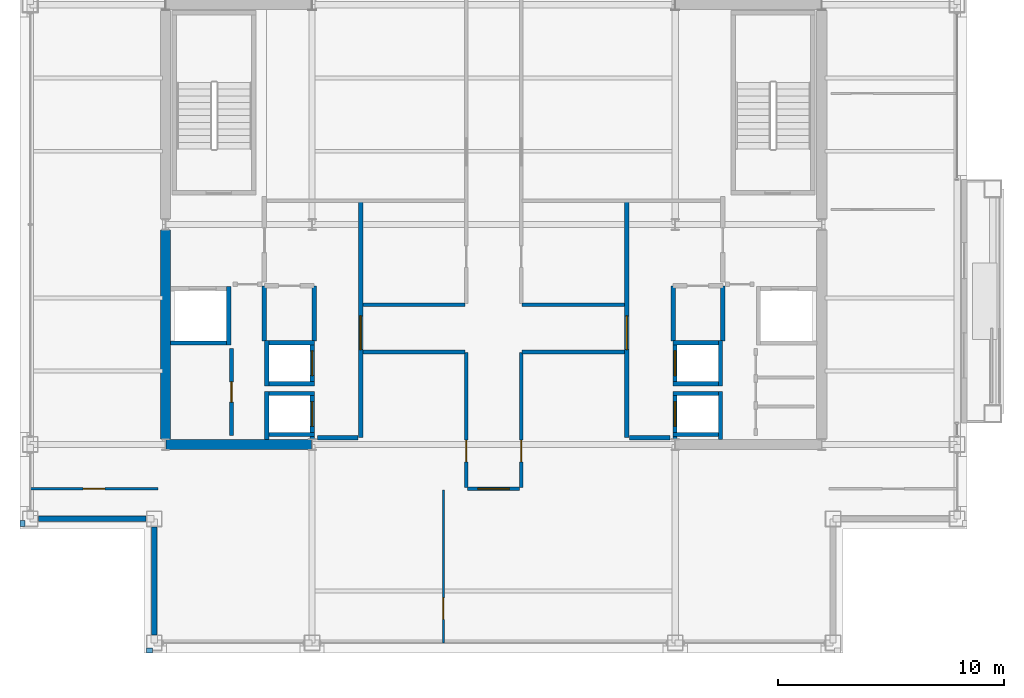
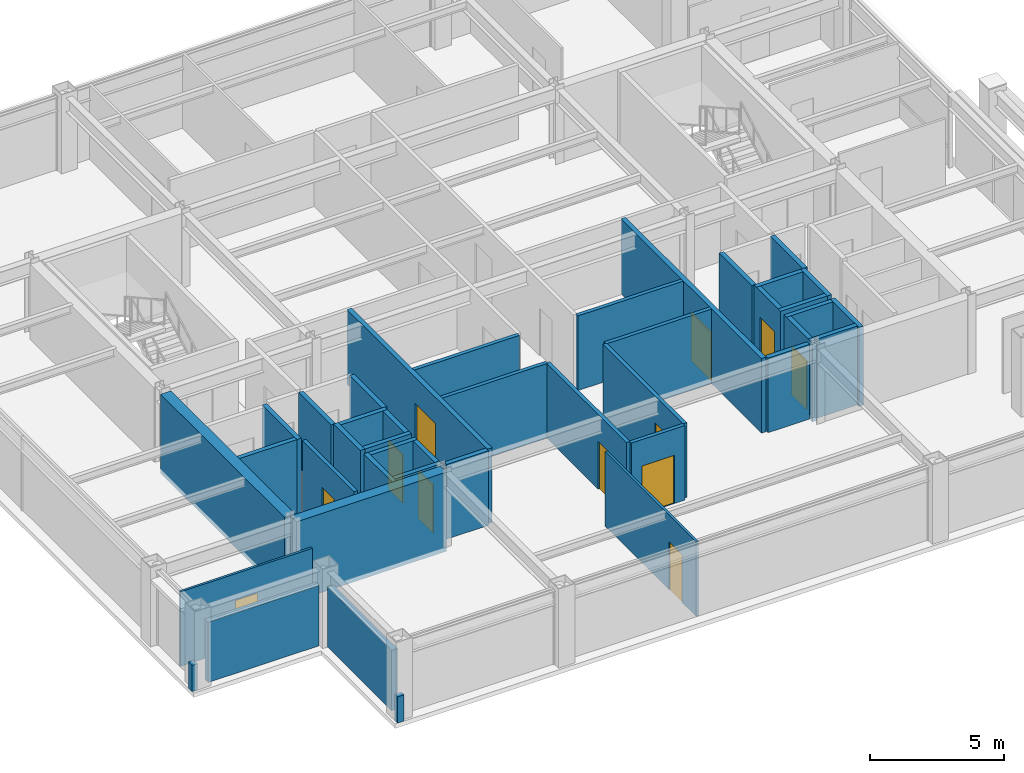
# One storey, part 24 of 29: 42 walls, 12 doors, 12 openings.
"""IFC4 building model written with IfcOpenShell, lengths in metres."""

from ifc_helpers import new_model, si_unit, direction, frame, frame_2d, origin, place, context, subcontext, project, spatial, rectangle, extrude, material, layer, layer_set, type_object, element, fill, save


model = new_model("IFC4")

# Units and contexts
model_context = context("Model", 3, precision=1e-05, world=origin(), true_north=direction((0.0, 1.0)))
body_context = subcontext(model_context, "Body", "Model", "MODEL_VIEW")
ifc_project = project(units=[si_unit("LENGTHUNIT", "METRE"), si_unit("AREAUNIT", "SQUARE_METRE"), si_unit("VOLUMEUNIT", "CUBIC_METRE"), si_unit("PLANEANGLEUNIT", "RADIAN"), si_unit("MASSUNIT", "GRAM", prefix="KILO")], contexts=[model_context])

# Site, building, storey
site_placement = place(None, origin())
site = spatial("IfcSite", under=ifc_project, at=site_placement, CompositionType="ELEMENT")
building_placement = place(site_placement, origin())
building = spatial("IfcBuilding", under=site, at=building_placement, Name="Brelmoor Portico Tower", CompositionType="ELEMENT")
storey_placement = place(building_placement, frame((0.0, 0.0, 201.89990234375)))
storey = spatial("IfcBuildingStorey", under=building, at=storey_placement, Name="L53", CompositionType="ELEMENT", Elevation=201.89990234375)

# Walls
ifc_material_1 = material(Name="Concrete C50", Category="concrete")
ifc_layer_1 = layer(ifc_material_1, 0.449951171875)
ifc_layer_set_1 = layer_set([ifc_layer_1], Name="Concrete C50")
wall_type_1 = type_object("IfcWallType", Name="WL-CORE-450", PredefinedType="SHEAR", material=ifc_layer_set_1)
wall_1_placement = place(storey_placement, frame((-14.530029296875, -9.75, -0.199951171875), z_axis=(0.0, 0.0, 1.0), x_axis=(1.0, 0.0, 0.0)))
element("IfcWall", 1, at=wall_1_placement, inside=storey, type_object=wall_type_1, Name="L53 WC South Shear Wall", PredefinedType="SHEAR", context=body_context, shape_type="SweptSolid", body=[
    extrude(rectangle(XDim=6.4599609375, YDim=0.449951171875, at=frame_2d((3.22998046875, 0.0))), origin(), (0.0, 0.0, 1.0), 3.60009765625),
])
wall_2_placement = place(storey_placement, frame((-14.550048828125, -9.5, -0.199951171875), z_axis=(0.0, 0.0, 1.0), x_axis=(0.0, 1.0, 0.0)))
element("IfcWall", 2, at=wall_2_placement, inside=storey, type_object=wall_type_1, Name="L53 WC Outer South Shear Wall", PredefinedType="SHEAR", context=body_context, shape_type="SweptSolid", body=[
    extrude(rectangle(XDim=9.25, YDim=0.449951171875, at=frame_2d((4.625, 0.0))), origin(), (0.0, 0.0, 1.0), 3.60009765625),
])
ifc_material_2 = material(Name="Precast Concrete C40 Insulated Facade Wall", Category="concrete")
ifc_layer_2 = layer(ifc_material_2, 0.25)
ifc_layer_set_2 = layer_set([ifc_layer_2], Name="Precast Concrete C40 Insulated Facade Wall")
wall_type_2 = type_object("IfcWallType", Name="WL-EXT-250", PredefinedType="STANDARD", material=ifc_layer_set_2)
for number, where, z_axis, x_axis, name in (
    (3, (-20.18994140625, -13.050048828125, 0.0), (0.0, 0.0, 1.0), (1.0, 0.0, 0.0), "L53 Corner Notch Facade Wall NSWH1"),
    (4, (-15.050048828125, -18.18994140625, 0.0), (0.0, 0.0, 1.0), (0.0, 1.0, 0.0), "L53 Corner Notch Facade Wall NSWV1"),
):
    element("IfcWall", number, at=place(storey_placement, frame(where, z_axis=z_axis, x_axis=x_axis)), inside=storey, type_object=wall_type_2, Name=name, PredefinedType="STANDARD", context=body_context, shape_type="SweptSolid", body=[
        extrude(rectangle(XDim=4.780029296875, YDim=0.25, at=frame_2d((2.39013671875, 0.0))), origin(), (0.0, 0.0, 1.0), 2.75),
    ])
ifc_material_3 = material(Name="Concrete C40 Parapet Upstand", Category="concrete")
ifc_layer_3 = layer(ifc_material_3, 0.219970703125)
ifc_layer_set_3 = layer_set([ifc_layer_3], Name="Concrete C40 Parapet Upstand")
wall_type_3 = type_object("IfcWallType", Name="WL-PARAPET-220", PredefinedType="PARAPET", material=ifc_layer_set_3)
for number, where, z_axis, x_axis, name in (
    (5, (-15.389892578125, -18.889892578125, 0.0), (0.0, 0.0, 1.0), (1.0, 0.0, 0.0), "L53 Chamfer Vertex Parapet Pier SW1"),
    (6, (-20.889892578125, -13.389892578125, 0.0), (0.0, 0.0, 1.0), (0.0, 1.0, 0.0), "L53 Chamfer Vertex Parapet Pier SW2"),
):
    element("IfcWall", number, at=place(storey_placement, frame(where, z_axis=z_axis, x_axis=x_axis)), inside=storey, type_object=wall_type_3, Name=name, PredefinedType="PARAPET", context=body_context, shape_type="SweptSolid", body=[
        extrude(rectangle(XDim=0.269775390625, YDim=0.219970703125, at=frame_2d((0.134765625, 0.0))), origin(), (0.0, 0.0, 1.0), 1.2001953125),
    ])

# Wall, opening, door
ifc_material_4 = material(Name="Demountable Glazed Office Partition", Category="aluminium")
ifc_layer_4 = layer(ifc_material_4, 0.10009765625)
ifc_layer_set_4 = layer_set([ifc_layer_4], Name="Demountable Glazed Office Partition")
wall_type_4 = type_object("IfcWallType", Name="WL-PART-100", PredefinedType="PARTITIONING", material=ifc_layer_set_4)
wall_3_placement = place(storey_placement, frame((-2.2255859375, -18.56005859375, 0.0), z_axis=(0.0, 0.0, 1.0), x_axis=(0.0, 1.0, 0.0)))
wall_3 = element("IfcWall", 7, at=wall_3_placement, inside=storey, type_object=wall_type_4, Name="L53 South Suite Partition 1", PredefinedType="PARTITIONING", context=body_context, shape_type="SweptSolid", body=[
    extrude(rectangle(XDim=6.7900390625, YDim=0.10009765625, at=frame_2d((3.39501953125, 0.0))), origin(), (0.0, 0.0, 1.0), 3.400146484375),
])
opening_1_placement = place(wall_3_placement, frame((1.050048828125, 0.0, 0.0)))
opening_1 = element("IfcOpeningElement", 8, at=opening_1_placement, cuts=wall_3, Name="Opening D-IN2", PredefinedType="OPENING", context=body_context, shape_type="SweptSolid", body=[
    extrude(rectangle(XDim=0.9599609375, YDim=2.179931640625, at=frame_2d((0.47998046875, 1.08984375))), frame((0.0, 0.06005859375, 0.0), z_axis=(0.0, -1.0, 0.0), x_axis=(1.0, 0.0, 0.0)), (0.0, 0.0, 1.0), 0.1201171875),
])
ifc_material_5 = material(Name="Lacquered Timber Suite Door", Category="wood")
door_type_1 = type_object("IfcDoorType", Name="DR-INT-950", OperationType="NOTDEFINED", PredefinedType="DOOR", material=ifc_material_5)
door_1_placement = place(opening_1_placement, origin())
door_1 = element("IfcDoor", 9, at=door_1_placement, inside=storey, type_object=door_type_1, Name="D-2246 L53 South Suite Connecting Door 1", OperationType="SINGLE_SWING_LEFT", OverallHeight=2.179931640625, OverallWidth=0.9599609375, PredefinedType="DOOR", context=body_context, shape_type="SweptSolid", body=[
    extrude(rectangle(XDim=0.9599609375, YDim=2.179931640625, at=frame_2d((0.47998046875, 1.08984375))), frame((0.0, 0.02490234375, 0.0), z_axis=(0.0, -1.0, 0.0), x_axis=(1.0, 0.0, 0.0)), (0.0, 0.0, 1.0), 0.050048828125),
])
fill(opening_1, door_1)

wall_4_placement = place(storey_placement, frame((-20.56005859375, -11.7099609375, 0.0), z_axis=(0.0, 0.0, 1.0), x_axis=(1.0, 0.0, 0.0)))
wall_4 = element("IfcWall", 10, at=wall_4_placement, inside=storey, type_object=wall_type_4, Name="L53 South Wing Closure WL", PredefinedType="PARTITIONING", context=body_context, shape_type="SweptSolid", body=[
    extrude(rectangle(XDim=5.68017578125, YDim=0.10009765625, at=frame_2d((2.840087890625, 0.0))), origin(), (0.0, 0.0, 1.0), 3.400146484375),
])
opening_2_placement = place(wall_4_placement, frame((2.360107421875, 0.0, 0.0)))
opening_2 = element("IfcOpeningElement", 11, at=opening_2_placement, cuts=wall_4, Name="Opening D-IN2", PredefinedType="OPENING", context=body_context, shape_type="SweptSolid", body=[
    extrude(rectangle(XDim=0.9599609375, YDim=2.179931640625, at=frame_2d((0.47998046875, 1.08984375))), frame((0.0, 0.06005859375, 0.0), z_axis=(0.0, -1.0, 0.0), x_axis=(1.0, 0.0, 0.0)), (0.0, 0.0, 1.0), 0.1201171875),
])
door_2_placement = place(opening_2_placement, origin())
door_2 = element("IfcDoor", 12, at=door_2_placement, inside=storey, type_object=door_type_1, Name="D-2250 L53 WL Wing South Suite Door", OperationType="SINGLE_SWING_RIGHT", OverallHeight=2.179931640625, OverallWidth=0.9599609375, PredefinedType="DOOR", context=body_context, shape_type="SweptSolid", body=[
    extrude(rectangle(XDim=0.9599609375, YDim=2.179931640625, at=frame_2d((0.47998046875, 1.08984375))), frame((0.0, 0.02490234375, 0.0), z_axis=(0.0, -1.0, 0.0), x_axis=(1.0, 0.0, 0.0)), (0.0, 0.0, 1.0), 0.050048828125),
])
fill(opening_2, door_2)

ifc_material_6 = material(Name="Twin-Frame Acoustic Partition", Category="gypsum")
ifc_layer_5 = layer(ifc_material_6, 0.159912109375)
ifc_layer_set_5 = layer_set([ifc_layer_5], Name="Twin-Frame Acoustic Partition")
wall_type_5 = type_object("IfcWallType", Name="WL-PART-160", PredefinedType="PARTITIONING", material=ifc_layer_set_5)
wall_5_placement = place(storey_placement, frame((-11.6201171875, -9.35009765625, 0.0), z_axis=(0.0, 0.0, 1.0), x_axis=(0.0, 1.0, 0.0)))
wall_5 = element("IfcWall", 13, at=wall_5_placement, inside=storey, type_object=wall_type_5, Name="L53 W Core Service Front Wall", PredefinedType="PARTITIONING", context=body_context, shape_type="SweptSolid", body=[
    extrude(rectangle(XDim=3.85009765625, YDim=0.159912109375, at=frame_2d((1.925048828125, 0.0))), origin(), (0.0, 0.0, 1.0), 3.400146484375),
])
opening_3_placement = place(wall_5_placement, frame((1.47509765625, 0.0, 0.0)))
opening_3 = element("IfcOpeningElement", 14, at=opening_3_placement, cuts=wall_5, Name="Opening D-IN1", PredefinedType="OPENING", context=body_context, shape_type="SweptSolid", body=[
    extrude(rectangle(XDim=0.89990234375, YDim=2.14990234375, at=frame_2d((0.449951171875, 1.074951171875))), frame((0.0, 0.08984375, 0.0), z_axis=(0.0, -1.0, 0.0), x_axis=(1.0, 0.0, 0.0)), (0.0, 0.0, 1.0), 0.179931640625),
])
door_type_2 = type_object("IfcDoorType", Name="DR-INT-900", OperationType="NOTDEFINED", PredefinedType="DOOR", material=ifc_material_5)
door_3_placement = place(opening_3_placement, origin())
door_3 = element("IfcDoor", 15, at=door_3_placement, inside=storey, type_object=door_type_2, Name="D-2231 L53 W Accessible WC Door", OperationType="SINGLE_SWING_LEFT", OverallHeight=2.14990234375, OverallWidth=0.89990234375, PredefinedType="DOOR", context=body_context, shape_type="SweptSolid", body=[
    extrude(rectangle(XDim=0.89990234375, YDim=2.14990234375, at=frame_2d((0.449951171875, 1.074951171875))), frame((0.0, 0.02490234375, 0.0), z_axis=(0.0, -1.0, 0.0), x_axis=(1.0, 0.0, 0.0)), (0.0, 0.0, 1.0), 0.050048828125),
])
fill(opening_3, door_3)

# Walls
for number, where, z_axis, x_axis, name in (
    (16, (-5.800048828125, -3.550048828125, 0.0), (0.0, 0.0, 1.0), (1.0, 0.0, 0.0), "L53 West Pantry South Wall"),
    (17, (1.260009765625, -3.550048828125, 0.0), (0.0, 0.0, 1.0), (1.0, 0.0, 0.0), "L53 East Office South Wall"),
):
    element("IfcWall", number, at=place(storey_placement, frame(where, z_axis=z_axis, x_axis=x_axis)), inside=storey, type_object=wall_type_5, Name=name, PredefinedType="PARTITIONING", context=body_context, shape_type="SweptSolid", body=[
        extrude(rectangle(XDim=4.5400390625, YDim=0.159912109375, at=frame_2d((2.27001953125, 0.0))), origin(), (0.0, 0.0, 1.0), 3.400146484375),
    ])

# Wall, opening, door
wall_6_placement = place(storey_placement, frame((-1.219970703125, -11.669921875, 0.0), z_axis=(0.0, 0.0, 1.0), x_axis=(0.0, 1.0, 0.0)))
wall_6 = element("IfcWall", 18, at=wall_6_placement, inside=storey, type_object=wall_type_5, Name="L53 South Cross West Wall", PredefinedType="PARTITIONING", context=body_context, shape_type="SweptSolid", body=[
    extrude(rectangle(XDim=5.989990234375, YDim=0.159912109375, at=frame_2d((2.9951171875, 0.0))), origin(), (0.0, 0.0, 1.0), 3.400146484375),
])
opening_4_placement = place(wall_6_placement, frame((1.14990234375, 0.0, 0.0)))
opening_4 = element("IfcOpeningElement", 19, at=opening_4_placement, cuts=wall_6, Name="Opening D-IN2", PredefinedType="OPENING", context=body_context, shape_type="SweptSolid", body=[
    extrude(rectangle(XDim=0.9599609375, YDim=2.179931640625, at=frame_2d((0.47998046875, 1.08984375))), frame((0.0, 0.08984375, 0.0), z_axis=(0.0, -1.0, 0.0), x_axis=(1.0, 0.0, 0.0)), (0.0, 0.0, 1.0), 0.179931640625),
])
door_4_placement = place(opening_4_placement, origin())
door_4 = element("IfcDoor", 20, at=door_4_placement, inside=storey, type_object=door_type_1, Name="D-2223 L53 South-West Archive Room Door", OperationType="SINGLE_SWING_RIGHT", OverallHeight=2.179931640625, OverallWidth=0.9599609375, PredefinedType="DOOR", context=body_context, shape_type="SweptSolid", body=[
    extrude(rectangle(XDim=0.9599609375, YDim=2.179931640625, at=frame_2d((0.47998046875, 1.08984375))), frame((0.0, 0.02490234375, 0.0), z_axis=(0.0, -1.0, 0.0), x_axis=(1.0, 0.0, 0.0)), (0.0, 0.0, 1.0), 0.050048828125),
])
fill(opening_4, door_4)

wall_7_placement = place(storey_placement, frame((1.219970703125, -11.669921875, 0.0), z_axis=(0.0, 0.0, 1.0), x_axis=(0.0, 1.0, 0.0)))
wall_7 = element("IfcWall", 21, at=wall_7_placement, inside=storey, type_object=wall_type_5, Name="L53 South Cross East Wall", PredefinedType="PARTITIONING", context=body_context, shape_type="SweptSolid", body=[
    extrude(rectangle(XDim=5.989990234375, YDim=0.159912109375, at=frame_2d((2.9951171875, 0.0))), origin(), (0.0, 0.0, 1.0), 3.400146484375),
])
opening_5_placement = place(wall_7_placement, frame((1.14990234375, 0.0, 0.0)))
opening_5 = element("IfcOpeningElement", 22, at=opening_5_placement, cuts=wall_7, Name="Opening D-IN2", PredefinedType="OPENING", context=body_context, shape_type="SweptSolid", body=[
    extrude(rectangle(XDim=0.9599609375, YDim=2.179931640625, at=frame_2d((0.47998046875, 1.08984375))), frame((0.0, 0.08984375, 0.0), z_axis=(0.0, -1.0, 0.0), x_axis=(1.0, 0.0, 0.0)), (0.0, 0.0, 1.0), 0.179931640625),
])
door_5_placement = place(opening_5_placement, origin())
door_5 = element("IfcDoor", 23, at=door_5_placement, inside=storey, type_object=door_type_1, Name="D-2222 L53 South-East Partner Office Door", OperationType="SINGLE_SWING_LEFT", OverallHeight=2.179931640625, OverallWidth=0.9599609375, PredefinedType="DOOR", context=body_context, shape_type="SweptSolid", body=[
    extrude(rectangle(XDim=0.9599609375, YDim=2.179931640625, at=frame_2d((0.47998046875, 1.08984375))), frame((0.0, 0.02490234375, 0.0), z_axis=(0.0, -1.0, 0.0), x_axis=(1.0, 0.0, 0.0)), (0.0, 0.0, 1.0), 0.050048828125),
])
fill(opening_5, door_5)

# Walls
for number, where, z_axis, x_axis, name in (
    (24, (-5.800048828125, -5.64990234375, 0.0), (0.0, 0.0, 1.0), (1.0, 0.0, 0.0), "L53 South-West Chamber Top Wall"),
    (25, (1.260009765625, -5.64990234375, 0.0), (0.0, 0.0, 1.0), (1.0, 0.0, 0.0), "L53 South-East Chamber Top Wall"),
):
    element("IfcWall", number, at=place(storey_placement, frame(where, z_axis=z_axis, x_axis=x_axis)), inside=storey, type_object=wall_type_5, Name=name, PredefinedType="PARTITIONING", context=body_context, shape_type="SweptSolid", body=[
        extrude(rectangle(XDim=4.5400390625, YDim=0.159912109375, at=frame_2d((2.27001953125, 0.0))), origin(), (0.0, 0.0, 1.0), 3.400146484375),
    ])

# Wall, opening, door
wall_8_placement = place(storey_placement, frame((-1.14990234375, -11.7099609375, 0.0), z_axis=(0.0, 0.0, 1.0), x_axis=(1.0, 0.0, 0.0)))
wall_8 = element("IfcWall", 26, at=wall_8_placement, inside=storey, type_object=wall_type_5, Name="L53 South Corridor Partition", PredefinedType="PARTITIONING", context=body_context, shape_type="SweptSolid", body=[
    extrude(rectangle(XDim=2.2998046875, YDim=0.159912109375, at=frame_2d((1.14990234375, 0.0))), origin(), (0.0, 0.0, 1.0), 3.400146484375),
])
opening_6_placement = place(wall_8_placement, frame((0.449951171875, 0.0, 0.0)))
opening_6 = element("IfcOpeningElement", 27, at=opening_6_placement, cuts=wall_8, Name="Opening D-SU2", PredefinedType="OPENING", context=body_context, shape_type="SweptSolid", body=[
    extrude(rectangle(XDim=1.39990234375, YDim=2.199951171875, at=frame_2d((0.699951171875, 1.10009765625))), frame((0.0, 0.08984375, 0.0), z_axis=(0.0, -1.0, 0.0), x_axis=(1.0, 0.0, 0.0)), (0.0, 0.0, 1.0), 0.179931640625),
])
ifc_material_7 = material(Name="Double-Leaf Acoustic Suite Door", Category="timber")
door_type_3 = type_object("IfcDoorType", Name="DR-SUITE-1400", OperationType="NOTDEFINED", PredefinedType="DOOR", material=ifc_material_7)
door_6_placement = place(opening_6_placement, origin())
door_6 = element("IfcDoor", 28, at=door_6_placement, inside=storey, type_object=door_type_3, Name="D-2245 L53 South Cellular Office 2 Door", OperationType="DOUBLE_DOOR_SINGLE_SWING", OverallHeight=2.199951171875, OverallWidth=1.39990234375, PredefinedType="DOOR", context=body_context, shape_type="SweptSolid", body=[
    extrude(rectangle(XDim=1.39990234375, YDim=2.199951171875, at=frame_2d((0.699951171875, 1.10009765625))), frame((0.0, 0.02490234375, 0.0), z_axis=(0.0, -1.0, 0.0), x_axis=(1.0, 0.0, 0.0)), (0.0, 0.0, 1.0), 0.050048828125),
])
fill(opening_6, door_6)

ifc_material_8 = material(Name="Double-Stud Gypsum Fire Partition", Category="gypsum")
ifc_layer_6 = layer(ifc_material_8, 0.199951171875)
ifc_layer_set_6 = layer_set([ifc_layer_6], Name="Double-Stud Gypsum Fire Partition")
wall_type_6 = type_object("IfcWallType", Name="WL-PART-200", PredefinedType="PARTITIONING", material=ifc_layer_set_6)
wall_9_placement = place(storey_placement, frame((-5.89990234375, -9.449951171875, 0.0), z_axis=(0.0, 0.0, 1.0), x_axis=(0.0, 1.0, 0.0)))
wall_9 = element("IfcWall", 29, at=wall_9_placement, inside=storey, type_object=wall_type_6, Name="L53 W Core Lobby Compartment Wall", PredefinedType="PARTITIONING", context=body_context, shape_type="SweptSolid", body=[
    extrude(rectangle(XDim=10.5, YDim=0.199951171875, at=frame_2d((5.25, 0.0))), origin(), (0.0, 0.0, 1.0), 3.400146484375),
])
opening_7_placement = place(wall_9_placement, frame((3.89990234375, 0.0, 0.0)))
opening_7 = element("IfcOpeningElement", 30, at=opening_7_placement, cuts=wall_9, Name="Opening D-LB1", PredefinedType="OPENING", context=body_context, shape_type="SweptSolid", body=[
    extrude(rectangle(XDim=1.5, YDim=2.199951171875, at=frame_2d((0.75, 1.10009765625))), frame((0.0, 0.10986328125, 0.0), z_axis=(0.0, -1.0, 0.0), x_axis=(1.0, 0.0, 0.0)), (0.0, 0.0, 1.0), 0.219970703125),
])
ifc_material_9 = material(Name="Double-Leaf Glazed Steel Fire Door", Category="steel")
door_type_4 = type_object("IfcDoorType", Name="DR-LOBBY-1500", OperationType="NOTDEFINED", PredefinedType="DOOR", material=ifc_material_9)
door_7_placement = place(opening_7_placement, origin())
door_7 = element("IfcDoor", 31, at=door_7_placement, inside=storey, type_object=door_type_4, Name="D-2237 L53 W Lift Lobby Main Door", OperationType="DOUBLE_DOOR_SINGLE_SWING", OverallHeight=2.199951171875, OverallWidth=1.5, PredefinedType="DOOR", context=body_context, shape_type="SweptSolid", body=[
    extrude(rectangle(XDim=1.5, YDim=2.199951171875, at=frame_2d((0.75, 1.10009765625))), frame((0.0, 0.02490234375, 0.0), z_axis=(0.0, -1.0, 0.0), x_axis=(1.0, 0.0, 0.0)), (0.0, 0.0, 1.0), 0.050048828125),
])
fill(opening_7, door_7)

# Walls
wall_10_placement = place(storey_placement, frame((-6.02001953125, -9.449951171875, 0.0), z_axis=(0.0, 0.0, 1.0), x_axis=(-1.0, 0.0, 0.0)))
element("IfcWall", 32, at=wall_10_placement, inside=storey, type_object=wall_type_6, Name="L53 W Lift Lobby South End Wall", PredefinedType="PARTITIONING", context=body_context, shape_type="SweptSolid", body=[
    extrude(rectangle(XDim=1.800048828125, YDim=0.199951171875, at=frame_2d((0.89990234375, 0.0))), origin(), (0.0, 0.0, 1.0), 3.400146484375),
])
for number, where, z_axis, x_axis, name in (
    (33, (-7.9599609375, -5.159912109375, 0.0), (0.0, 0.0, 1.0), (0.0, 1.0, 0.0), "L53 W Electrical Switchgear Closet Inner Wall"),
    (34, (-10.159912109375, -5.159912109375, 0.0), (0.0, 0.0, 1.0), (0.0, 1.0, 0.0), "L53 W Electrical Switchgear Closet Outer Wall"),
):
    element("IfcWall", number, at=place(storey_placement, frame(where, z_axis=z_axis, x_axis=x_axis)), inside=storey, type_object=wall_type_6, Name=name, PredefinedType="PARTITIONING", context=body_context, shape_type="SweptSolid", body=[
        extrude(rectangle(XDim=2.43994140625, YDim=0.199951171875, at=frame_2d((1.219970703125, 0.0))), origin(), (0.0, 0.0, 1.0), 3.400146484375),
    ])

# Wall, opening, door
wall_11_placement = place(storey_placement, frame((5.89990234375, -9.449951171875, 0.0), z_axis=(0.0, 0.0, 1.0), x_axis=(0.0, 1.0, 0.0)))
wall_11 = element("IfcWall", 35, at=wall_11_placement, inside=storey, type_object=wall_type_6, Name="L53 E Core Lobby Compartment Wall", PredefinedType="PARTITIONING", context=body_context, shape_type="SweptSolid", body=[
    extrude(rectangle(XDim=10.5, YDim=0.199951171875, at=frame_2d((5.25, 0.0))), origin(), (0.0, 0.0, 1.0), 3.400146484375),
])
opening_8_placement = place(wall_11_placement, frame((3.89990234375, 0.0, 0.0)))
opening_8 = element("IfcOpeningElement", 36, at=opening_8_placement, cuts=wall_11, Name="Opening D-LB1", PredefinedType="OPENING", context=body_context, shape_type="SweptSolid", body=[
    extrude(rectangle(XDim=1.5, YDim=2.199951171875, at=frame_2d((0.75, 1.10009765625))), frame((0.0, 0.10986328125, 0.0), z_axis=(0.0, -1.0, 0.0), x_axis=(1.0, 0.0, 0.0)), (0.0, 0.0, 1.0), 0.219970703125),
])
door_8_placement = place(opening_8_placement, origin())
door_8 = element("IfcDoor", 37, at=door_8_placement, inside=storey, type_object=door_type_4, Name="D-2236 L53 E Lift Lobby Main Door", OperationType="DOUBLE_DOOR_SINGLE_SWING", OverallHeight=2.199951171875, OverallWidth=1.5, PredefinedType="DOOR", context=body_context, shape_type="SweptSolid", body=[
    extrude(rectangle(XDim=1.5, YDim=2.199951171875, at=frame_2d((0.75, 1.10009765625))), frame((0.0, 0.02490234375, 0.0), z_axis=(0.0, -1.0, 0.0), x_axis=(1.0, 0.0, 0.0)), (0.0, 0.0, 1.0), 0.050048828125),
])
fill(opening_8, door_8)

# Walls
wall_12_placement = place(storey_placement, frame((6.02001953125, -9.449951171875, 0.0), z_axis=(0.0, 0.0, 1.0), x_axis=(1.0, 0.0, 0.0)))
element("IfcWall", 38, at=wall_12_placement, inside=storey, type_object=wall_type_6, Name="L53 E Lift Lobby South End Wall", PredefinedType="PARTITIONING", context=body_context, shape_type="SweptSolid", body=[
    extrude(rectangle(XDim=1.800048828125, YDim=0.199951171875, at=frame_2d((0.89990234375, 0.0))), origin(), (0.0, 0.0, 1.0), 3.400146484375),
])
for number, where, z_axis, x_axis, name in (
    (39, (7.9599609375, -5.159912109375, 0.0), (0.0, 0.0, 1.0), (0.0, 1.0, 0.0), "L53 E Electrical Switchgear Closet Inner Wall"),
    (40, (10.159912109375, -5.159912109375, 0.0), (0.0, 0.0, 1.0), (0.0, 1.0, 0.0), "L53 E Electrical Switchgear Closet Outer Wall"),
):
    element("IfcWall", number, at=place(storey_placement, frame(where, z_axis=z_axis, x_axis=x_axis)), inside=storey, type_object=wall_type_6, Name=name, PredefinedType="PARTITIONING", context=body_context, shape_type="SweptSolid", body=[
        extrude(rectangle(XDim=2.43994140625, YDim=0.199951171875, at=frame_2d((1.219970703125, 0.0))), origin(), (0.0, 0.0, 1.0), 3.400146484375),
    ])

# Wall, opening, door
ifc_material_10 = material(Name="Precast Concrete C40", Category="concrete")
ifc_layer_7 = layer(ifc_material_10, 0.18994140625)
ifc_layer_set_7 = layer_set([ifc_layer_7], Name="Precast Concrete C40")
wall_type_7 = type_object("IfcWallType", Name="WL-SHAFT-180", PredefinedType="SOLIDWALL", material=ifc_layer_set_7)
wall_13_placement = place(storey_placement, frame((-8.044921875, -9.52001953125, -0.199951171875), z_axis=(0.0, 0.0, 1.0), x_axis=(0.0, 1.0, 0.0)))
wall_13 = element("IfcWall", 41, at=wall_13_placement, inside=storey, type_object=wall_type_7, Name="L53 Lift PH1 Hoistway Front Wall", PredefinedType="SOLIDWALL", context=body_context, shape_type="SweptSolid", body=[
    extrude(rectangle(XDim=2.1201171875, YDim=0.18994140625, at=frame_2d((1.06005859375, 0.0))), origin(), (0.0, 0.0, 1.0), 3.60009765625),
])
opening_9_placement = place(wall_13_placement, frame((0.570068359375, 0.0, 0.199951171875)))
opening_9 = element("IfcOpeningElement", 42, at=opening_9_placement, cuts=wall_13, Name="Opening LD-01", PredefinedType="OPENING", context=body_context, shape_type="SweptSolid", body=[
    extrude(rectangle(XDim=1.10009765625, YDim=2.199951171875, at=frame_2d((0.550048828125, 1.10009765625))), frame((0.0, 0.10498046875, 0.0), z_axis=(0.0, -1.0, 0.0), x_axis=(1.0, 0.0, 0.0)), (0.0, 0.0, 1.0), 0.2099609375),
])
ifc_material_11 = material(Name="Brushed Stainless Steel Sliding Lift Door", Category="steel")
door_type_5 = type_object("IfcDoorType", Name="DR-LIFT-1100", OperationType="NOTDEFINED", PredefinedType="DOOR", material=ifc_material_11)
door_9_placement = place(opening_9_placement, origin())
door_9 = element("IfcDoor", 43, at=door_9_placement, inside=storey, type_object=door_type_5, Name="D-2256 L53 Lift PH1 Sliding Landing Door", OperationType="SLIDING_TO_LEFT", OverallHeight=2.199951171875, OverallWidth=1.10009765625, PredefinedType="DOOR", context=body_context, shape_type="SweptSolid", body=[
    extrude(rectangle(XDim=1.10009765625, YDim=2.199951171875, at=frame_2d((0.550048828125, 1.10009765625))), frame((0.0, 0.02490234375, 0.0), z_axis=(0.0, -1.0, 0.0), x_axis=(1.0, 0.0, 0.0)), (0.0, 0.0, 1.0), 0.050048828125),
])
fill(opening_9, door_9)

# Walls
wall_14_placement = place(storey_placement, frame((-10.054931640625, -9.52001953125, -0.199951171875), z_axis=(0.0, 0.0, 1.0), x_axis=(0.0, 1.0, 0.0)))
element("IfcWall", 44, at=wall_14_placement, inside=storey, type_object=wall_type_7, Name="L53 Lift PH1 Hoistway Back Wall", PredefinedType="SOLIDWALL", context=body_context, shape_type="SweptSolid", body=[
    extrude(rectangle(XDim=2.1201171875, YDim=0.18994140625, at=frame_2d((1.06005859375, 0.0))), origin(), (0.0, 0.0, 1.0), 3.60009765625),
])
for number, where, z_axis, x_axis, name in (
    (45, (-10.14990234375, -7.4951171875, -0.199951171875), (0.0, 0.0, 1.0), (1.0, 0.0, 0.0), "L53 Lift PH1 Hoistway North Wall"),
    (46, (-10.14990234375, -9.304931640625, -0.199951171875), (0.0, 0.0, 1.0), (1.0, 0.0, 0.0), "L53 Lift PH1 Hoistway South Wall"),
):
    element("IfcWall", number, at=place(storey_placement, frame(where, z_axis=z_axis, x_axis=x_axis)), inside=storey, type_object=wall_type_7, Name=name, PredefinedType="SOLIDWALL", context=body_context, shape_type="SweptSolid", body=[
        extrude(rectangle(XDim=2.199951171875, YDim=0.18994140625, at=frame_2d((1.10009765625, 0.0))), origin(), (0.0, 0.0, 1.0), 3.60009765625),
    ])

# Wall, opening, door
wall_15_placement = place(storey_placement, frame((-8.044921875, -7.14990234375, -0.199951171875), z_axis=(0.0, 0.0, 1.0), x_axis=(0.0, 1.0, 0.0)))
wall_15 = element("IfcWall", 47, at=wall_15_placement, inside=storey, type_object=wall_type_7, Name="L53 Lift PH2 Hoistway Front Wall", PredefinedType="SOLIDWALL", context=body_context, shape_type="SweptSolid", body=[
    extrude(rectangle(XDim=2.0, YDim=0.18994140625, at=frame_2d((1.0, 0.0))), origin(), (0.0, 0.0, 1.0), 3.60009765625),
])
opening_10_placement = place(wall_15_placement, frame((0.449951171875, 0.0, 0.199951171875)))
opening_10 = element("IfcOpeningElement", 48, at=opening_10_placement, cuts=wall_15, Name="Opening LD-01", PredefinedType="OPENING", context=body_context, shape_type="SweptSolid", body=[
    extrude(rectangle(XDim=1.10009765625, YDim=2.199951171875, at=frame_2d((0.550048828125, 1.10009765625))), frame((0.0, 0.10498046875, 0.0), z_axis=(0.0, -1.0, 0.0), x_axis=(1.0, 0.0, 0.0)), (0.0, 0.0, 1.0), 0.2099609375),
])
door_10_placement = place(opening_10_placement, origin())
door_10 = element("IfcDoor", 49, at=door_10_placement, inside=storey, type_object=door_type_5, Name="D-2257 L53 Lift PH2 Sliding Landing Door", OperationType="SLIDING_TO_LEFT", OverallHeight=2.199951171875, OverallWidth=1.10009765625, PredefinedType="DOOR", context=body_context, shape_type="SweptSolid", body=[
    extrude(rectangle(XDim=1.10009765625, YDim=2.199951171875, at=frame_2d((0.550048828125, 1.10009765625))), frame((0.0, 0.02490234375, 0.0), z_axis=(0.0, -1.0, 0.0), x_axis=(1.0, 0.0, 0.0)), (0.0, 0.0, 1.0), 0.050048828125),
])
fill(opening_10, door_10)

# Walls
wall_16_placement = place(storey_placement, frame((-10.054931640625, -7.14990234375, -0.199951171875), z_axis=(0.0, 0.0, 1.0), x_axis=(0.0, 1.0, 0.0)))
element("IfcWall", 50, at=wall_16_placement, inside=storey, type_object=wall_type_7, Name="L53 Lift PH2 Hoistway Back Wall", PredefinedType="SOLIDWALL", context=body_context, shape_type="SweptSolid", body=[
    extrude(rectangle(XDim=2.0, YDim=0.18994140625, at=frame_2d((1.0, 0.0))), origin(), (0.0, 0.0, 1.0), 3.60009765625),
])
for number, where, z_axis, x_axis, name in (
    (51, (-10.14990234375, -5.2451171875, -0.199951171875), (0.0, 0.0, 1.0), (1.0, 0.0, 0.0), "L53 Lift PH2 Hoistway North Wall"),
    (52, (-10.14990234375, -7.054931640625, -0.199951171875), (0.0, 0.0, 1.0), (1.0, 0.0, 0.0), "L53 Lift PH2 Hoistway South Wall"),
):
    element("IfcWall", number, at=place(storey_placement, frame(where, z_axis=z_axis, x_axis=x_axis)), inside=storey, type_object=wall_type_7, Name=name, PredefinedType="SOLIDWALL", context=body_context, shape_type="SweptSolid", body=[
        extrude(rectangle(XDim=2.199951171875, YDim=0.18994140625, at=frame_2d((1.10009765625, 0.0))), origin(), (0.0, 0.0, 1.0), 3.60009765625),
    ])

# Wall, opening, door
wall_17_placement = place(storey_placement, frame((8.044921875, -9.52001953125, -0.199951171875), z_axis=(0.0, 0.0, 1.0), x_axis=(0.0, 1.0, 0.0)))
wall_17 = element("IfcWall", 53, at=wall_17_placement, inside=storey, type_object=wall_type_7, Name="L53 Lift PH3 Hoistway Front Wall", PredefinedType="SOLIDWALL", context=body_context, shape_type="SweptSolid", body=[
    extrude(rectangle(XDim=2.1201171875, YDim=0.18994140625, at=frame_2d((1.06005859375, 0.0))), origin(), (0.0, 0.0, 1.0), 3.60009765625),
])
opening_11_placement = place(wall_17_placement, frame((0.570068359375, 0.0, 0.199951171875)))
opening_11 = element("IfcOpeningElement", 54, at=opening_11_placement, cuts=wall_17, Name="Opening LD-01", PredefinedType="OPENING", context=body_context, shape_type="SweptSolid", body=[
    extrude(rectangle(XDim=1.10009765625, YDim=2.199951171875, at=frame_2d((0.550048828125, 1.10009765625))), frame((0.0, 0.10498046875, 0.0), z_axis=(0.0, -1.0, 0.0), x_axis=(1.0, 0.0, 0.0)), (0.0, 0.0, 1.0), 0.2099609375),
])
door_11_placement = place(opening_11_placement, origin())
door_11 = element("IfcDoor", 55, at=door_11_placement, inside=storey, type_object=door_type_5, Name="D-2258 L53 Lift PH3 Sliding Landing Door", OperationType="SLIDING_TO_LEFT", OverallHeight=2.199951171875, OverallWidth=1.10009765625, PredefinedType="DOOR", context=body_context, shape_type="SweptSolid", body=[
    extrude(rectangle(XDim=1.10009765625, YDim=2.199951171875, at=frame_2d((0.550048828125, 1.10009765625))), frame((0.0, 0.02490234375, 0.0), z_axis=(0.0, -1.0, 0.0), x_axis=(1.0, 0.0, 0.0)), (0.0, 0.0, 1.0), 0.050048828125),
])
fill(opening_11, door_11)

# Walls
wall_18_placement = place(storey_placement, frame((10.054931640625, -9.52001953125, -0.199951171875), z_axis=(0.0, 0.0, 1.0), x_axis=(0.0, 1.0, 0.0)))
element("IfcWall", 56, at=wall_18_placement, inside=storey, type_object=wall_type_7, Name="L53 Lift PH3 Hoistway Back Wall", PredefinedType="SOLIDWALL", context=body_context, shape_type="SweptSolid", body=[
    extrude(rectangle(XDim=2.1201171875, YDim=0.18994140625, at=frame_2d((1.06005859375, 0.0))), origin(), (0.0, 0.0, 1.0), 3.60009765625),
])
for number, where, z_axis, x_axis, name in (
    (57, (7.949951171875, -7.4951171875, -0.199951171875), (0.0, 0.0, 1.0), (1.0, 0.0, 0.0), "L53 Lift PH3 Hoistway North Wall"),
    (58, (7.949951171875, -9.304931640625, -0.199951171875), (0.0, 0.0, 1.0), (1.0, 0.0, 0.0), "L53 Lift PH3 Hoistway South Wall"),
):
    element("IfcWall", number, at=place(storey_placement, frame(where, z_axis=z_axis, x_axis=x_axis)), inside=storey, type_object=wall_type_7, Name=name, PredefinedType="SOLIDWALL", context=body_context, shape_type="SweptSolid", body=[
        extrude(rectangle(XDim=2.199951171875, YDim=0.18994140625, at=frame_2d((1.10009765625, 0.0))), origin(), (0.0, 0.0, 1.0), 3.60009765625),
    ])

# Wall, opening, door
wall_19_placement = place(storey_placement, frame((8.044921875, -7.14990234375, -0.199951171875), z_axis=(0.0, 0.0, 1.0), x_axis=(0.0, 1.0, 0.0)))
wall_19 = element("IfcWall", 59, at=wall_19_placement, inside=storey, type_object=wall_type_7, Name="L53 Lift PH4 Hoistway Front Wall", PredefinedType="SOLIDWALL", context=body_context, shape_type="SweptSolid", body=[
    extrude(rectangle(XDim=2.0, YDim=0.18994140625, at=frame_2d((1.0, 0.0))), origin(), (0.0, 0.0, 1.0), 3.60009765625),
])
opening_12_placement = place(wall_19_placement, frame((0.449951171875, 0.0, 0.199951171875)))
opening_12 = element("IfcOpeningElement", 60, at=opening_12_placement, cuts=wall_19, Name="Opening LD-01", PredefinedType="OPENING", context=body_context, shape_type="SweptSolid", body=[
    extrude(rectangle(XDim=1.10009765625, YDim=2.199951171875, at=frame_2d((0.550048828125, 1.10009765625))), frame((0.0, 0.10498046875, 0.0), z_axis=(0.0, -1.0, 0.0), x_axis=(1.0, 0.0, 0.0)), (0.0, 0.0, 1.0), 0.2099609375),
])
door_12_placement = place(opening_12_placement, origin())
door_12 = element("IfcDoor", 61, at=door_12_placement, inside=storey, type_object=door_type_5, Name="D-2259 L53 Lift PH4 Sliding Landing Door", OperationType="SLIDING_TO_LEFT", OverallHeight=2.199951171875, OverallWidth=1.10009765625, PredefinedType="DOOR", context=body_context, shape_type="SweptSolid", body=[
    extrude(rectangle(XDim=1.10009765625, YDim=2.199951171875, at=frame_2d((0.550048828125, 1.10009765625))), frame((0.0, 0.02490234375, 0.0), z_axis=(0.0, -1.0, 0.0), x_axis=(1.0, 0.0, 0.0)), (0.0, 0.0, 1.0), 0.050048828125),
])
fill(opening_12, door_12)

# Walls
wall_20_placement = place(storey_placement, frame((10.054931640625, -7.14990234375, -0.199951171875), z_axis=(0.0, 0.0, 1.0), x_axis=(0.0, 1.0, 0.0)))
element("IfcWall", 62, at=wall_20_placement, inside=storey, type_object=wall_type_7, Name="L53 Lift PH4 Hoistway Back Wall", PredefinedType="SOLIDWALL", context=body_context, shape_type="SweptSolid", body=[
    extrude(rectangle(XDim=2.0, YDim=0.18994140625, at=frame_2d((1.0, 0.0))), origin(), (0.0, 0.0, 1.0), 3.60009765625),
])
for number, where, z_axis, x_axis, name in (
    (63, (7.949951171875, -5.2451171875, -0.199951171875), (0.0, 0.0, 1.0), (1.0, 0.0, 0.0), "L53 Lift PH4 Hoistway North Wall"),
    (64, (7.949951171875, -7.054931640625, -0.199951171875), (0.0, 0.0, 1.0), (1.0, 0.0, 0.0), "L53 Lift PH4 Hoistway South Wall"),
):
    element("IfcWall", number, at=place(storey_placement, frame(where, z_axis=z_axis, x_axis=x_axis)), inside=storey, type_object=wall_type_7, Name=name, PredefinedType="SOLIDWALL", context=body_context, shape_type="SweptSolid", body=[
        extrude(rectangle(XDim=2.199951171875, YDim=0.18994140625, at=frame_2d((1.10009765625, 0.0))), origin(), (0.0, 0.0, 1.0), 3.60009765625),
    ])
wall_21_placement = place(storey_placement, frame((-14.330078125, -5.2548828125, -0.199951171875), z_axis=(0.0, 0.0, 1.0), x_axis=(1.0, 0.0, 0.0)))
element("IfcWall", 65, at=wall_21_placement, inside=storey, type_object=wall_type_7, Name="L53 Firefighting Lift FF1 South Wall", PredefinedType="SOLIDWALL", context=body_context, shape_type="SweptSolid", body=[
    extrude(rectangle(XDim=2.68017578125, YDim=0.18994140625, at=frame_2d((1.340087890625, 0.0))), origin(), (0.0, 0.0, 1.0), 3.60009765625),
])
wall_22_placement = place(storey_placement, frame((-11.7451171875, -5.35009765625, -0.199951171875), z_axis=(0.0, 0.0, 1.0), x_axis=(0.0, 1.0, 0.0)))
element("IfcWall", 66, at=wall_22_placement, inside=storey, type_object=wall_type_7, Name="L53 Firefighting Lift FF1 Inner Wall", PredefinedType="SOLIDWALL", context=body_context, shape_type="SweptSolid", body=[
    extrude(rectangle(XDim=2.60009765625, YDim=0.18994140625, at=frame_2d((1.300048828125, 0.0))), origin(), (0.0, 0.0, 1.0), 3.60009765625),
])

save(model, "model.ifc")
